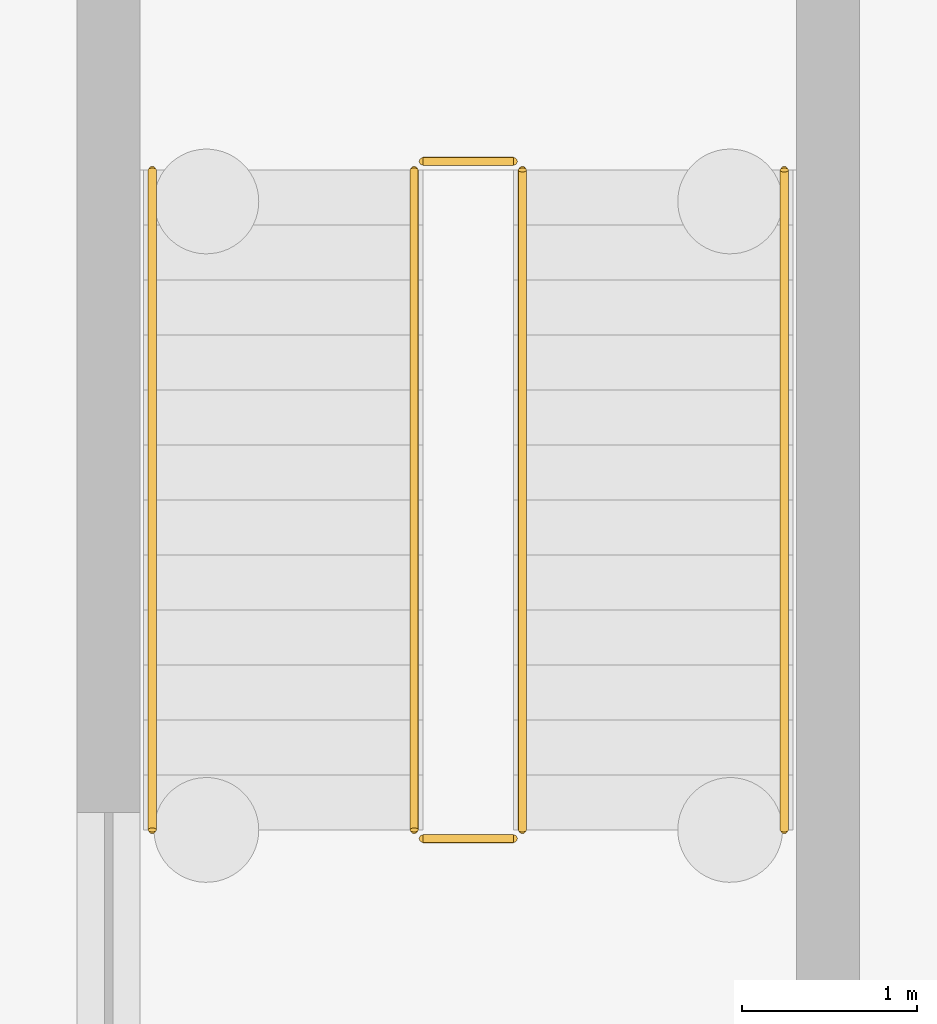
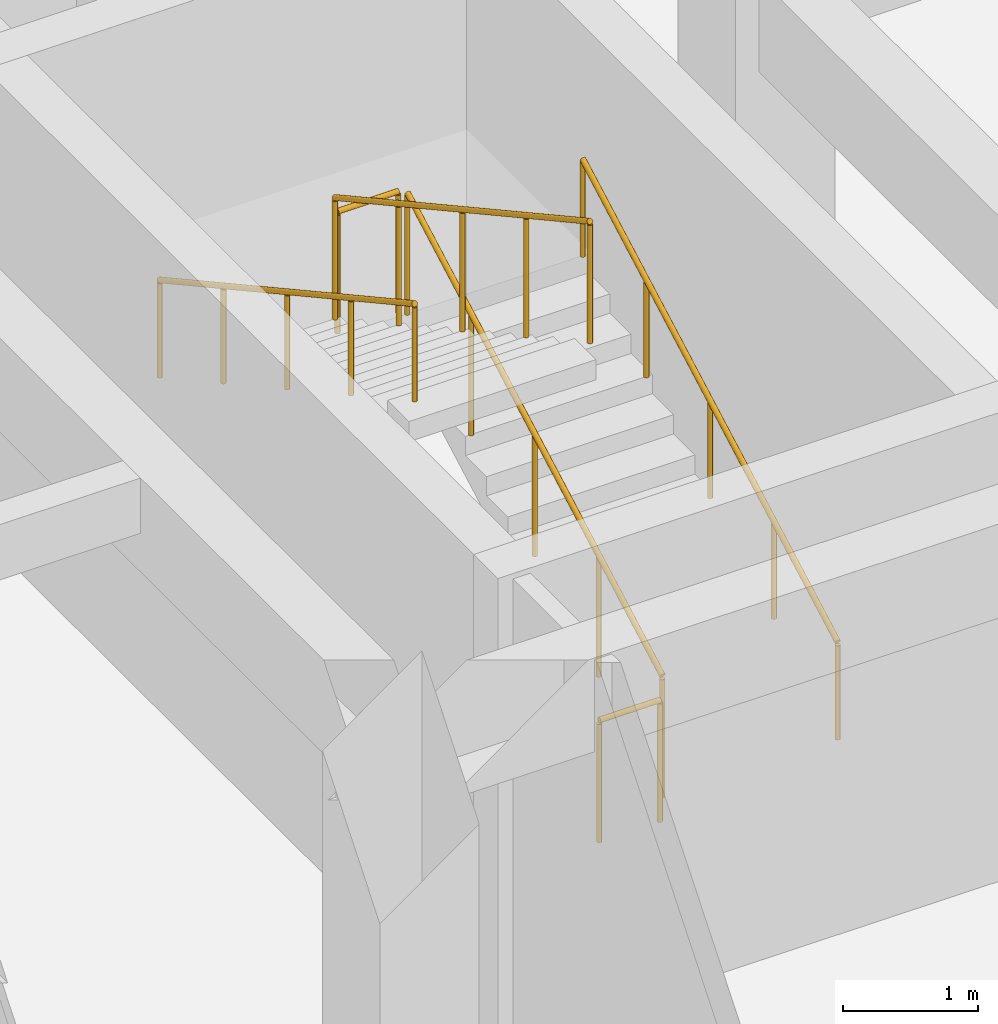
# One storey, part 27 of 28: 6 railings.
"""IFC4 building model written with IfcOpenShell, lengths in metres."""

from ifc_helpers import new_model, si_unit, direction, frame, origin, origin_2d, place, context, subcontext, project, spatial, circle, extrude, material, type_object, element, save


model = new_model("IFC4")

# Units and contexts
model_context = context("Model", 3, precision=1e-05, world=origin(), true_north=direction((0.0, 1.0)))
body_context = subcontext(model_context, "Body", "Model", "MODEL_VIEW")
ifc_project = project(units=[si_unit("LENGTHUNIT", "METRE"), si_unit("AREAUNIT", "SQUARE_METRE"), si_unit("VOLUMEUNIT", "CUBIC_METRE"), si_unit("PLANEANGLEUNIT", "RADIAN"), si_unit("MASSUNIT", "GRAM", prefix="KILO")], contexts=[model_context])

# Site, building, storey
site_placement = place(None, origin())
site = spatial("IfcSite", under=ifc_project, at=site_placement, CompositionType="ELEMENT")
building_placement = place(site_placement, origin())
building = spatial("IfcBuilding", under=site, at=building_placement, Name="Alvorim Cloister Faculty of Sciences", CompositionType="ELEMENT")
storey_placement = place(building_placement, frame((0.0, 0.0, -4.5)))
storey = spatial("IfcBuildingStorey", under=building, at=storey_placement, Name="B01", CompositionType="ELEMENT", Elevation=-4.5)

# Railings
ifc_material_1 = material(Name="Galvanised Painted Steel", Category="steel")
railing_type_1 = type_object("IfcRailingType", Name="RL-STR-GUARD", PredefinedType="GUARDRAIL", material=ifc_material_1)
railing_1_placement = place(storey_placement, frame((18.3701171875, 73.800048828125, 0.173095703125)))
element("IfcRailing", 1, at=railing_1_placement, inside=storey, type_object=railing_type_1, Name="B01 ST-05 stair guard 1", PredefinedType="GUARDRAIL", context=body_context, shape_type="SweptSolid", body=[
    extrude(circle(Radius=0.02392578125, at=origin_2d()), frame((0.0, 0.0, 1.09619140625), z_axis=(0.0, 0.876422584698, 0.481542784217), x_axis=(-1.0, 0.0, 0.0)), (0.0, 0.0, 1.0), 4.31298828125),
    extrude(circle(Radius=0.02099609375, at=origin_2d()), origin(), (0.0, 0.0, 1.0), 1.072021484375),
    extrude(circle(Radius=0.02099609375, at=origin_2d()), frame((0.0, 0.945068359375, 0.519287109375)), (0.0, 0.0, 1.0), 1.072021484375),
    extrude(circle(Radius=0.02099609375, at=origin_2d()), frame((0.0, 1.89013671875, 1.03857421875)), (0.0, 0.0, 1.0), 1.072021484375),
    extrude(circle(Radius=0.02099609375, at=origin_2d()), frame((0.0, 2.8349609375, 1.5576171875)), (0.0, 0.0, 1.0), 1.072021484375),
    extrude(circle(Radius=0.02099609375, at=origin_2d()), frame((0.0, 3.780029296875, 2.076904296875)), (0.0, 0.0, 1.0), 1.072021484375),
])
railing_2_placement = place(storey_placement, frame((18.320068359375, 77.6298828125, 2.25)))
element("IfcRailing", 2, at=railing_2_placement, inside=storey, type_object=railing_type_1, Name="B01 ST-05 stair guard 2", PredefinedType="GUARDRAIL", context=body_context, shape_type="SweptSolid", body=[
    extrude(circle(Radius=0.02392578125, at=origin_2d()), frame((0.0, 0.0, 1.09619140625), z_axis=(-1.0, 0.0, 0.0), x_axis=(0.0, -1.0, 0.0)), (0.0, 0.0, 1.0), 0.52001953125),
    extrude(circle(Radius=0.02099609375, at=origin_2d()), origin(), (0.0, 0.0, 1.0), 1.072021484375),
    extrude(circle(Radius=0.02099609375, at=origin_2d()), frame((-0.52001953125, 0.0, 0.0)), (0.0, 0.0, 1.0), 1.072021484375),
])
railing_3_placement = place(storey_placement, frame((17.75, 77.580078125, 2.423095703125)))
element("IfcRailing", 3, at=railing_3_placement, inside=storey, type_object=railing_type_1, Name="B01 ST-05 stair guard 3", PredefinedType="GUARDRAIL", context=body_context, shape_type="SweptSolid", body=[
    extrude(circle(Radius=0.02392578125, at=origin_2d()), frame((0.0, 0.0, 1.09619140625), z_axis=(0.0, -0.876422584698, 0.481542784217), x_axis=(1.0, 0.0, 0.0)), (0.0, 0.0, 1.0), 4.31298828125),
    extrude(circle(Radius=0.02099609375, at=origin_2d()), origin(), (0.0, 0.0, 1.0), 1.072021484375),
    extrude(circle(Radius=0.02099609375, at=origin_2d()), frame((0.0, -0.945068359375, 0.519287109375)), (0.0, 0.0, 1.0), 1.072021484375),
    extrude(circle(Radius=0.02099609375, at=origin_2d()), frame((0.0, -1.89013671875, 1.03857421875)), (0.0, 0.0, 1.0), 1.072021484375),
    extrude(circle(Radius=0.02099609375, at=origin_2d()), frame((0.0, -2.8349609375, 1.5576171875)), (0.0, 0.0, 1.0), 1.072021484375),
    extrude(circle(Radius=0.02099609375, at=origin_2d()), frame((0.0, -3.780029296875, 2.076904296875)), (0.0, 0.0, 1.0), 1.072021484375),
])
railing_4_placement = place(storey_placement, frame((18.320068359375, 73.75, 0.0)))
element("IfcRailing", 4, at=railing_4_placement, inside=storey, type_object=railing_type_1, Name="B01 ST-05 stair guard 4", PredefinedType="GUARDRAIL", context=body_context, shape_type="SweptSolid", body=[
    extrude(circle(Radius=0.02392578125, at=origin_2d()), frame((0.0, 0.0, 1.09619140625), z_axis=(-1.0, 0.0, 0.0), x_axis=(0.0, -1.0, 0.0)), (0.0, 0.0, 1.0), 0.52001953125),
    extrude(circle(Radius=0.02099609375, at=origin_2d()), origin(), (0.0, 0.0, 1.0), 1.072021484375),
    extrude(circle(Radius=0.02099609375, at=origin_2d()), frame((-0.52001953125, 0.0, 0.0)), (0.0, 0.0, 1.0), 1.072021484375),
])
ifc_material_2 = material(Name="Brushed Stainless Steel", Category="steel")
railing_type_2 = type_object("IfcRailingType", Name="RL-STR-HAND", PredefinedType="HANDRAIL", material=ifc_material_2)
railing_5_placement = place(storey_placement, frame((19.8701171875, 73.800048828125, 0.173095703125)))
element("IfcRailing", 5, at=railing_5_placement, inside=storey, type_object=railing_type_2, Name="B01 ST-05 stair handrail 1", PredefinedType="HANDRAIL", context=body_context, shape_type="SweptSolid", body=[
    extrude(circle(Radius=0.02392578125, at=origin_2d()), frame((0.0, 0.0, 0.8759765625), z_axis=(0.0, 0.876422584698, 0.481542784217), x_axis=(-1.0, 0.0, 0.0)), (0.0, 0.0, 1.0), 4.31298828125),
    extrude(circle(Radius=0.02099609375, at=origin_2d()), origin(), (0.0, 0.0, 1.0), 0.851806640625),
    extrude(circle(Radius=0.02099609375, at=origin_2d()), frame((0.0, 0.945068359375, 0.519287109375)), (0.0, 0.0, 1.0), 0.851806640625),
    extrude(circle(Radius=0.02099609375, at=origin_2d()), frame((0.0, 1.89013671875, 1.03857421875)), (0.0, 0.0, 1.0), 0.851806640625),
    extrude(circle(Radius=0.02099609375, at=origin_2d()), frame((0.0, 2.8349609375, 1.5576171875)), (0.0, 0.0, 1.0), 0.851806640625),
    extrude(circle(Radius=0.02099609375, at=origin_2d()), frame((0.0, 3.780029296875, 2.076904296875)), (0.0, 0.0, 1.0), 0.851806640625),
])
railing_6_placement = place(storey_placement, frame((16.25, 77.580078125, 2.423095703125)))
element("IfcRailing", 6, at=railing_6_placement, inside=storey, type_object=railing_type_2, Name="B01 ST-05 stair handrail 2", PredefinedType="HANDRAIL", context=body_context, shape_type="SweptSolid", body=[
    extrude(circle(Radius=0.02392578125, at=origin_2d()), frame((0.0, 0.0, 0.8759765625), z_axis=(0.0, -0.876422584698, 0.481542784217), x_axis=(1.0, 0.0, 0.0)), (0.0, 0.0, 1.0), 4.31298828125),
    extrude(circle(Radius=0.02099609375, at=origin_2d()), origin(), (0.0, 0.0, 1.0), 0.851806640625),
    extrude(circle(Radius=0.02099609375, at=origin_2d()), frame((0.0, -0.945068359375, 0.519287109375)), (0.0, 0.0, 1.0), 0.851806640625),
    extrude(circle(Radius=0.02099609375, at=origin_2d()), frame((0.0, -1.89013671875, 1.03857421875)), (0.0, 0.0, 1.0), 0.851806640625),
    extrude(circle(Radius=0.02099609375, at=origin_2d()), frame((0.0, -2.8349609375, 1.5576171875)), (0.0, 0.0, 1.0), 0.851806640625),
    extrude(circle(Radius=0.02099609375, at=origin_2d()), frame((0.0, -3.780029296875, 2.076904296875)), (0.0, 0.0, 1.0), 0.851806640625),
])

save(model, "model.ifc")
